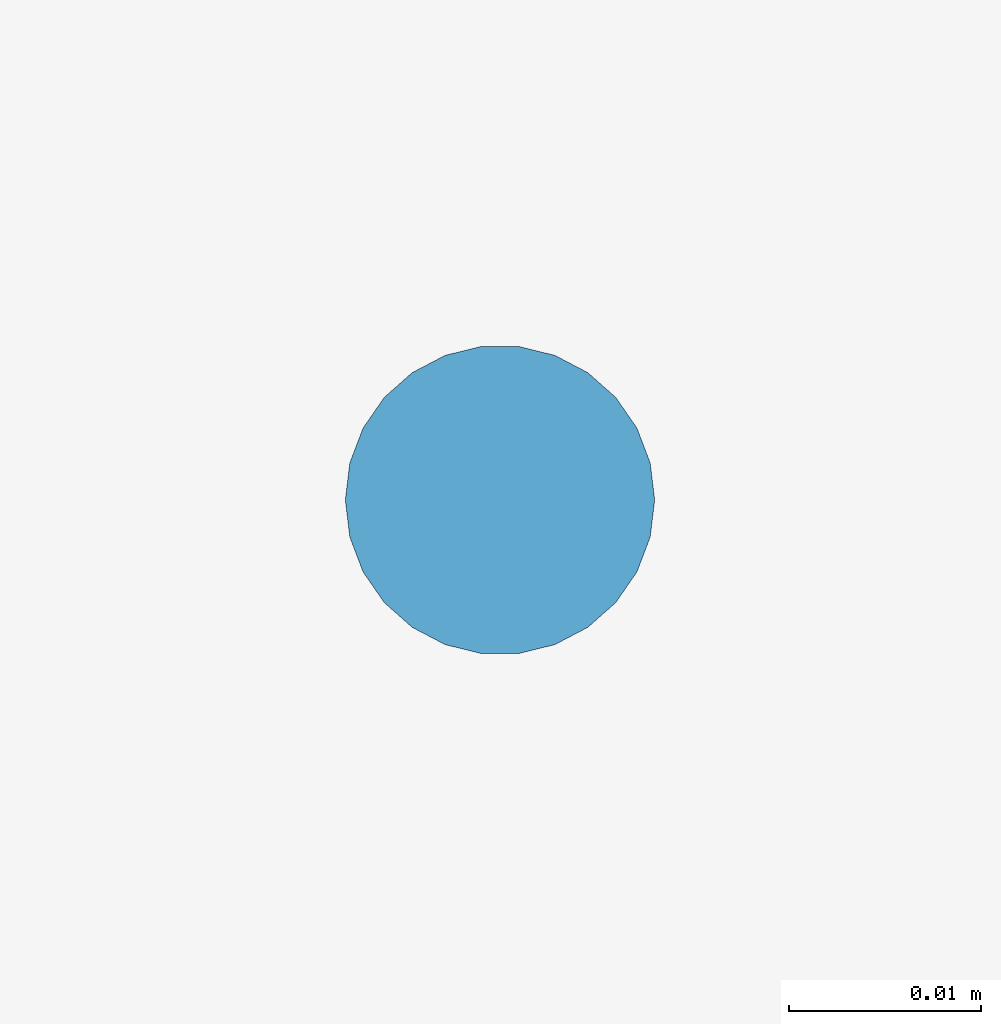
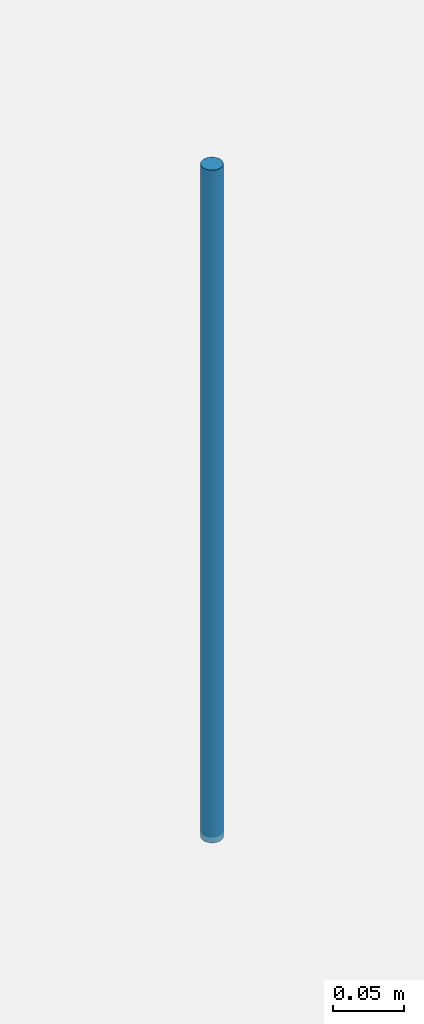
# One storey, part 17 of 22: 1 discrete accessory.
"""IFC4 building model written with IfcOpenShell, lengths in metres."""

from ifc_helpers import new_model, si_unit, direction, frame, origin, origin_2d, place, context, subcontext, project, spatial, circle, extrude, material, type_object, element, save


model = new_model("IFC4")

# Units and contexts
model_context = context("Model", 3, precision=1e-05, world=origin(), true_north=direction((0.0, 1.0)))
body_context = subcontext(model_context, "Body", "Model", "MODEL_VIEW")
ifc_project = project(units=[si_unit("LENGTHUNIT", "METRE"), si_unit("AREAUNIT", "SQUARE_METRE"), si_unit("VOLUMEUNIT", "CUBIC_METRE"), si_unit("PLANEANGLEUNIT", "RADIAN"), si_unit("MASSUNIT", "GRAM", prefix="KILO")], contexts=[model_context])

# Site, building, storey
site_placement = place(None, origin())
site = spatial("IfcSite", under=ifc_project, at=site_placement, CompositionType="ELEMENT")
building_placement = place(site_placement, origin())
building = spatial("IfcBuilding", under=site, at=building_placement, Name="Yukiwa Park Conservatory and Herbarium", CompositionType="ELEMENT")
storey_placement = place(building_placement, frame((0.0, 0.0, 35.39990234375)))
storey = spatial("IfcBuildingStorey", under=building, at=storey_placement, Name="L09", CompositionType="ELEMENT", Elevation=35.39990234375)

# Discrete accessory
ifc_material = material(Name="Steel Q235B", Category="steel")
discrete_accessory_type = type_object("IfcDiscreteAccessoryType", Name="ACC-CEILING-HANGER", PredefinedType="BRACKET", material=ifc_material)
discrete_accessory_placement = place(storey_placement, frame((151.199951171875, 83.39990234375, 2.675048828125), z_axis=(0.0, 0.0, 1.0), x_axis=(1.0, 0.0, 0.0)))
element("IfcDiscreteAccessory", 1, at=discrete_accessory_placement, inside=storey, type_object=discrete_accessory_type, Name="Ceiling suspension hanger rod 21", PredefinedType="BRACKET", context=body_context, shape_type="SweptSolid", body=[
    extrude(circle(Radius=0.008056640625, at=origin_2d()), origin(), (0.0, 0.0, 1.0), 0.578125),
])

save(model, "model.ifc")
